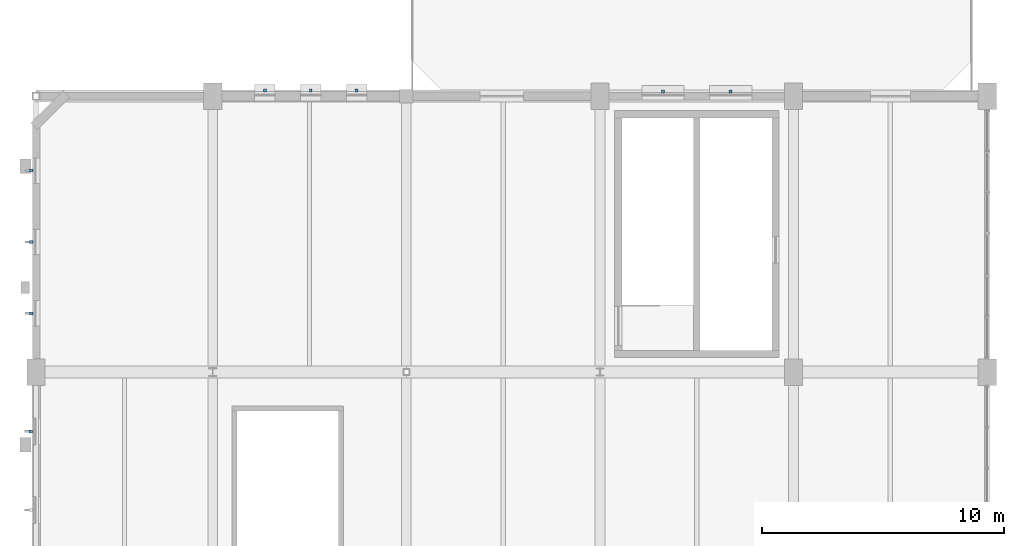
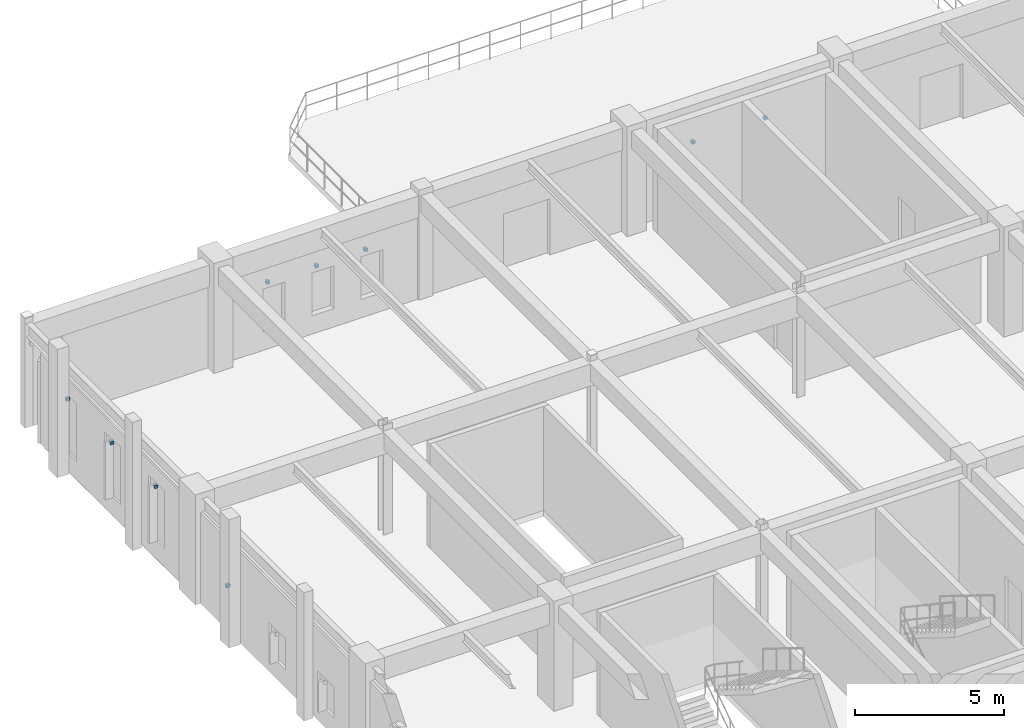
# One storey, part 43 of 48: 9 discrete accessories.
"""IFC4 building model written with IfcOpenShell, lengths in metres."""

from ifc_helpers import new_model, si_unit, direction, frame, origin, origin_2d, place, context, subcontext, project, spatial, rectangle, extrude, material, type_object, element, save


model = new_model("IFC4")

# Units and contexts
model_context = context("Model", 3, precision=1e-05, world=origin(), true_north=direction((0.0, 1.0)))
body_context = subcontext(model_context, "Body", "Model", "MODEL_VIEW")
ifc_project = project(units=[si_unit("LENGTHUNIT", "METRE"), si_unit("AREAUNIT", "SQUARE_METRE"), si_unit("VOLUMEUNIT", "CUBIC_METRE"), si_unit("PLANEANGLEUNIT", "RADIAN"), si_unit("MASSUNIT", "GRAM", prefix="KILO"), si_unit("POWERUNIT", "WATT"), si_unit("THERMODYNAMICTEMPERATUREUNIT", "KELVIN")], contexts=[model_context])

# Site, building, storey
site_placement = place(None, origin())
site = spatial("IfcSite", under=ifc_project, at=site_placement, CompositionType="ELEMENT")
building_placement = place(site_placement, origin())
building = spatial("IfcBuilding", under=site, at=building_placement, Name="Kelmbourne Parkland Aquatics Centre", CompositionType="ELEMENT")
storey_placement = place(building_placement, frame((0.0, 0.0, 14.699951171875)))
storey = spatial("IfcBuildingStorey", under=building, at=storey_placement, Name="L03", CompositionType="ELEMENT", Elevation=14.699951171875)

# Discrete accessories
ifc_material = material(Name="Hot-dip galvanised structural steel AS/NZS 4680", Category="steel")
discrete_accessory_type = type_object("IfcDiscreteAccessoryType", Name="ACC-BRK-1", PredefinedType="BRACKET", material=ifc_material)
for number, where, z_axis, x_axis, name in (
    (1, (0.485107421875, 32.548095703125, 1.840087890625), (0.0, 0.0, 1.0), (0.0, 1.0, 0.0), "Galvanised sunshade fixing bracket 172"),
    (2, (0.5048828125, 37.427001953125, 2.93994140625), (0.0, 0.0, 1.0), (0.0, 1.0, 0.0), "Galvanised sunshade fixing bracket 173"),
    (3, (0.5048828125, 40.3759765625, 2.93994140625), (0.0, 0.0, 1.0), (0.0, 1.0, 0.0), "Galvanised sunshade fixing bracket 174"),
    (4, (0.5048828125, 43.324951171875, 2.93994140625), (0.0, 0.0, 1.0), (0.0, 1.0, 0.0), "Galvanised sunshade fixing bracket 175"),
    (5, (10.152099609375, 46.635009765625, 2.340087890625), (0.0, 0.0, 1.0), (1.0, 0.0, 0.0), "Galvanised sunshade fixing bracket 187"),
    (6, (12.050048828125, 46.635009765625, 2.340087890625), (0.0, 0.0, 1.0), (1.0, 0.0, 0.0), "Galvanised sunshade fixing bracket 188"),
    (7, (13.947998046875, 46.635009765625, 2.340087890625), (0.0, 0.0, 1.0), (1.0, 0.0, 0.0), "Galvanised sunshade fixing bracket 189"),
    (8, (26.60205078125, 46.594970703125, 2.340087890625), (0.0, 0.0, 1.0), (1.0, 0.0, 0.0), "Galvanised sunshade fixing bracket 190"),
    (9, (29.39794921875, 46.594970703125, 2.340087890625), (0.0, 0.0, 1.0), (1.0, 0.0, 0.0), "Galvanised sunshade fixing bracket 191"),
):
    element("IfcDiscreteAccessory", number, at=place(storey_placement, frame(where, z_axis=z_axis, x_axis=x_axis)), inside=storey, type_object=discrete_accessory_type, Name=name, PredefinedType="BRACKET", context=body_context, shape_type="SweptSolid", body=[
        extrude(rectangle(XDim=0.1201171875, YDim=0.139892578125, at=origin_2d()), origin(), (0.0, 0.0, 1.0), 0.1201171875),
    ])

save(model, "model.ifc")
